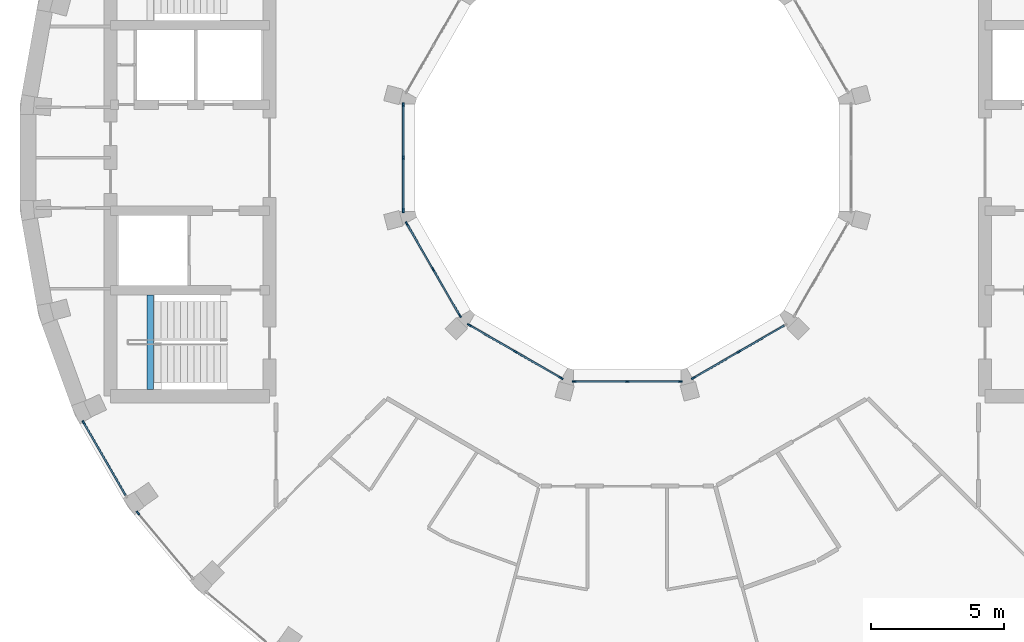
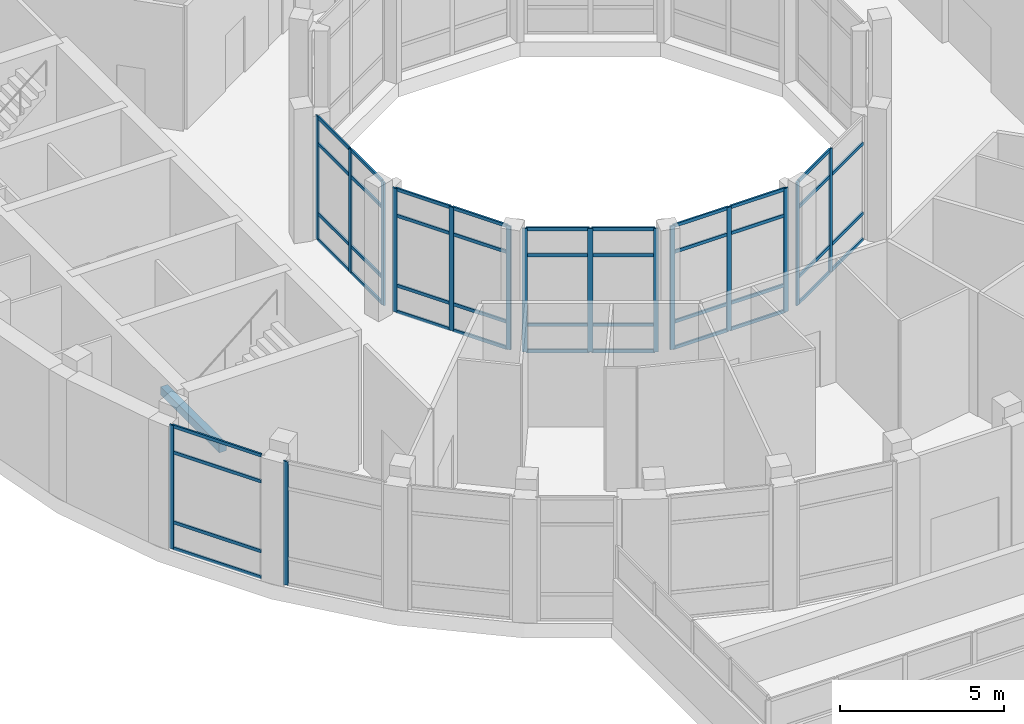
# One storey, part 4 of 19: 59 members, 1 beam, 7 elements without a shape of their own.
"""IFC4 building model written with IfcOpenShell, lengths in metres."""

from ifc_helpers import new_model, si_unit, direction, frame, origin, origin_2d, place, context, subcontext, project, spatial, rectangle, extrude, material, layer, layer_set, material_profile, profile_set, type_object, element, aggregate, save


model = new_model("IFC4")

# Units and contexts
model_context = context("Model", 3, precision=1e-05, world=origin(), true_north=direction((0.0, 1.0)))
body_context = subcontext(model_context, "Body", "Model", "MODEL_VIEW")
ifc_project = project(units=[si_unit("LENGTHUNIT", "METRE"), si_unit("AREAUNIT", "SQUARE_METRE"), si_unit("VOLUMEUNIT", "CUBIC_METRE"), si_unit("PLANEANGLEUNIT", "RADIAN"), si_unit("MASSUNIT", "GRAM", prefix="KILO")], contexts=[model_context])

# Site, building, storey
site_placement = place(None, origin())
site = spatial("IfcSite", under=ifc_project, at=site_placement, CompositionType="ELEMENT")
building_placement = place(site_placement, origin())
building = spatial("IfcBuilding", under=site, at=building_placement, Name="Saqina Gate Tower", CompositionType="ELEMENT")
storey_placement = place(building_placement, frame((0.0, 0.0, 224.699951171875)))
storey = spatial("IfcBuildingStorey", under=building, at=storey_placement, Name="L64", CompositionType="ELEMENT", Elevation=224.699951171875)

# Curtain wall, member
ifc_material_1 = material(Name="Aluminium glazing", Category="aluminium")
ifc_layer_1 = layer(ifc_material_1, 0.159912109375)
ifc_layer_set_1 = layer_set([ifc_layer_1], Name="CWT-2")
curtain_wall_type_1 = type_object("IfcCurtainWallType", Name="CWT-2", PredefinedType="NOTDEFINED", material=ifc_layer_set_1)
curtain_wall_1_placement = place(storey_placement, origin())
curtain_wall_1 = element("IfcCurtainWall", 1, at=curtain_wall_1_placement, inside=storey, type_object=curtain_wall_type_1, Name="Sky lounge glazing facet 21", PredefinedType="NOTDEFINED")
ifc_material_2 = material(Name="Aluminium", Category="aluminium")
ifc_material_profile_1 = material_profile(ifc_material_2, rectangle(XDim=0.06005859375, YDim=0.159912109375, at=origin_2d()), Name="Aluminium 60x160")
ifc_profile_set_1 = profile_set([ifc_material_profile_1], Name="Aluminium")
member_type_1 = type_object("IfcMemberType", Name="CWT-2M", PredefinedType="MULLION", material=ifc_profile_set_1)
member_1_placement = place(storey_placement, frame((-20.5107421875, -9.999267578125, 0.0), z_axis=(0.0, 0.0, 1.0), x_axis=(0.8660355365, 0.499982449212, 0.0)))
member_1 = element("IfcMember", 2, at=member_1_placement, type_object=member_type_1, Name="CW2-21 mullion 1", PredefinedType="MULLION", context=body_context, shape_type="SweptSolid", body=[
    extrude(rectangle(XDim=0.06005859375, YDim=0.159912109375, at=origin_2d()), origin(), (0.0, 0.0, 1.0), 4.60009765625),
])

curtain_wall_2_placement = place(storey_placement, origin())
curtain_wall_2 = element("IfcCurtainWall", 3, at=curtain_wall_2_placement, inside=storey, type_object=curtain_wall_type_1, Name="Sky lounge glazing facet 22", PredefinedType="NOTDEFINED")
member_2_placement = place(storey_placement, frame((-18.462890625, -13.408935546875, 0.0), z_axis=(0.0, 0.0, 1.0), x_axis=(0.766046452821, 0.642785214609, 0.0)))
member_2 = element("IfcMember", 4, at=member_2_placement, type_object=member_type_1, Name="CW2-22 mullion 1", PredefinedType="MULLION", context=body_context, shape_type="SweptSolid", body=[
    extrude(rectangle(XDim=0.06005859375, YDim=0.159912109375, at=origin_2d()), origin(), (0.0, 0.0, 1.0), 4.60009765625),
])
aggregate(curtain_wall_2, [member_2])

# Member
ifc_material_3 = material(Name="Aluminium", Category="aluminium")
ifc_material_profile_2 = material_profile(ifc_material_3, rectangle(XDim=0.06005859375, YDim=0.1201171875, at=origin_2d()), Name="Aluminium 60x120")
ifc_profile_set_2 = profile_set([ifc_material_profile_2], Name="Aluminium")
member_type_2 = type_object("IfcMemberType", Name="CWT-2T", PredefinedType="USERDEFINED", material=ifc_profile_set_2)
member_3_placement = place(storey_placement, frame((-20.495849609375, -10.025146484375, 0.030029296875), z_axis=(0.50001262068, -0.866018117109, 0.0), x_axis=(0.866018117109, 0.50001262068, 0.0)))
member_3 = element("IfcMember", 5, at=member_3_placement, type_object=member_type_2, Name="CW2-21 transom 1.1", ObjectType="TRANSOM", PredefinedType="USERDEFINED", context=body_context, shape_type="SweptSolid", body=[
    extrude(rectangle(XDim=0.06005859375, YDim=0.1201171875, at=origin_2d()), origin(), (0.0, 0.0, 1.0), 3.1318359375),
])

member_4_placement = place(storey_placement, frame((-20.495849609375, -10.025146484375, 1.0), z_axis=(0.50001262068, -0.866018117109, 0.0), x_axis=(0.866018117109, 0.50001262068, 0.0)))
member_4 = element("IfcMember", 6, at=member_4_placement, type_object=member_type_2, Name="CW2-21 transom 1.2", ObjectType="TRANSOM", PredefinedType="USERDEFINED", context=body_context, shape_type="SweptSolid", body=[
    extrude(rectangle(XDim=0.06005859375, YDim=0.1201171875, at=origin_2d()), origin(), (0.0, 0.0, 1.0), 3.1318359375),
])

member_5_placement = place(storey_placement, frame((-20.495849609375, -10.025146484375, 3.60009765625), z_axis=(0.50001262068, -0.866018117109, 0.0), x_axis=(0.866018117109, 0.50001262068, 0.0)))
member_5 = element("IfcMember", 7, at=member_5_placement, type_object=member_type_2, Name="CW2-21 transom 1.3", ObjectType="TRANSOM", PredefinedType="USERDEFINED", context=body_context, shape_type="SweptSolid", body=[
    extrude(rectangle(XDim=0.06005859375, YDim=0.1201171875, at=origin_2d()), origin(), (0.0, 0.0, 1.0), 3.1318359375),
])

member_6_placement = place(storey_placement, frame((-20.495849609375, -10.025146484375, 4.570068359375), z_axis=(0.50001262068, -0.866018117109, 0.0), x_axis=(0.866018117109, 0.50001262068, 0.0)))
member_6 = element("IfcMember", 8, at=member_6_placement, type_object=member_type_2, Name="CW2-21 transom 1.4", ObjectType="TRANSOM", PredefinedType="USERDEFINED", context=body_context, shape_type="SweptSolid", body=[
    extrude(rectangle(XDim=0.06005859375, YDim=0.1201171875, at=origin_2d()), origin(), (0.0, 0.0, 1.0), 3.1318359375),
])

aggregate(curtain_wall_1, [member_1, member_3, member_4, member_5, member_6])

# Curtain wall, members
ifc_material_4 = material(Name="Aluminium glazing", Category="aluminium")
ifc_layer_2 = layer(ifc_material_4, 0.159912109375)
ifc_layer_set_2 = layer_set([ifc_layer_2], Name="CWT-3")
curtain_wall_type_2 = type_object("IfcCurtainWallType", Name="CWT-3", PredefinedType="NOTDEFINED", material=ifc_layer_set_2)
curtain_wall_3_placement = place(storey_placement, origin())
curtain_wall_3 = element("IfcCurtainWall", 9, at=curtain_wall_3_placement, inside=storey, type_object=curtain_wall_type_2, Name="Sky lounge well glazing L64 facet 6", PredefinedType="NOTDEFINED")
ifc_material_5 = material(Name="Aluminium", Category="aluminium")
ifc_material_profile_3 = material_profile(ifc_material_5, rectangle(XDim=0.06005859375, YDim=0.159912109375, at=origin_2d()), Name="Aluminium 60x160")
ifc_profile_set_3 = profile_set([ifc_material_profile_3], Name="Aluminium")
member_type_3 = type_object("IfcMemberType", Name="CWT-3M", PredefinedType="MULLION", material=ifc_profile_set_3)
member_7_placement = place(storey_placement, frame((-8.449951171875, 1.99951171875, 0.0), z_axis=(0.0, 0.0, 1.0), x_axis=(1.0, 0.0, 0.0)))
member_7 = element("IfcMember", 10, at=member_7_placement, type_object=member_type_3, Name="CW3-06 mullion 1", PredefinedType="MULLION", context=body_context, shape_type="SweptSolid", body=[
    extrude(rectangle(XDim=0.06005859375, YDim=0.159912109375, at=origin_2d()), origin(), (0.0, 0.0, 1.0), 4.60009765625),
])
member_8_placement = place(storey_placement, frame((-8.449951171875, 0.0, 0.0), z_axis=(0.0, 0.0, 1.0), x_axis=(1.0, 0.0, 0.0)))
member_8 = element("IfcMember", 11, at=member_8_placement, type_object=member_type_3, Name="CW3-06 mullion 2", PredefinedType="MULLION", context=body_context, shape_type="SweptSolid", body=[
    extrude(rectangle(XDim=0.06005859375, YDim=0.159912109375, at=origin_2d()), origin(), (0.0, 0.0, 1.0), 4.60009765625),
])
member_9_placement = place(storey_placement, frame((-8.449951171875, -1.99951171875, 0.0), z_axis=(0.0, 0.0, 1.0), x_axis=(1.0, 0.0, 0.0)))
member_9 = element("IfcMember", 12, at=member_9_placement, type_object=member_type_3, Name="CW3-06 mullion 3", PredefinedType="MULLION", context=body_context, shape_type="SweptSolid", body=[
    extrude(rectangle(XDim=0.06005859375, YDim=0.159912109375, at=origin_2d()), origin(), (0.0, 0.0, 1.0), 4.60009765625),
])

curtain_wall_4_placement = place(storey_placement, origin())
curtain_wall_4 = element("IfcCurtainWall", 13, at=curtain_wall_4_placement, inside=storey, type_object=curtain_wall_type_2, Name="Sky lounge well glazing L64 facet 7", PredefinedType="NOTDEFINED")
member_10_placement = place(storey_placement, frame((-8.317626953125, -2.493408203125, 0.0), z_axis=(0.0, 0.0, 1.0), x_axis=(0.866023931115, 0.500002550729, 0.0)))
member_10 = element("IfcMember", 14, at=member_10_placement, type_object=member_type_3, Name="CW3-07 mullion 1", PredefinedType="MULLION", context=body_context, shape_type="SweptSolid", body=[
    extrude(rectangle(XDim=0.06005859375, YDim=0.159912109375, at=origin_2d()), origin(), (0.0, 0.0, 1.0), 4.60009765625),
])
member_11_placement = place(storey_placement, frame((-7.31787109375, -4.22509765625, 0.0), z_axis=(0.0, 0.0, 1.0), x_axis=(0.866023931115, 0.500002550729, 0.0)))
member_11 = element("IfcMember", 15, at=member_11_placement, type_object=member_type_3, Name="CW3-07 mullion 2", PredefinedType="MULLION", context=body_context, shape_type="SweptSolid", body=[
    extrude(rectangle(XDim=0.06005859375, YDim=0.159912109375, at=origin_2d()), origin(), (0.0, 0.0, 1.0), 4.60009765625),
])
member_12_placement = place(storey_placement, frame((-6.318115234375, -5.95654296875, 0.0), z_axis=(0.0, 0.0, 1.0), x_axis=(0.866023931115, 0.500002550729, 0.0)))
member_12 = element("IfcMember", 16, at=member_12_placement, type_object=member_type_3, Name="CW3-07 mullion 3", PredefinedType="MULLION", context=body_context, shape_type="SweptSolid", body=[
    extrude(rectangle(XDim=0.06005859375, YDim=0.159912109375, at=origin_2d()), origin(), (0.0, 0.0, 1.0), 4.60009765625),
])

curtain_wall_5_placement = place(storey_placement, origin())
curtain_wall_5 = element("IfcCurtainWall", 17, at=curtain_wall_5_placement, inside=storey, type_object=curtain_wall_type_2, Name="Sky lounge well glazing L64 facet 8", PredefinedType="NOTDEFINED")
member_13_placement = place(storey_placement, frame((-5.95654296875, -6.318115234375, 0.0), z_axis=(0.0, 0.0, 1.0), x_axis=(0.500002550729, 0.866023931115, 0.0)))
member_13 = element("IfcMember", 18, at=member_13_placement, type_object=member_type_3, Name="CW3-08 mullion 1", PredefinedType="MULLION", context=body_context, shape_type="SweptSolid", body=[
    extrude(rectangle(XDim=0.06005859375, YDim=0.159912109375, at=origin_2d()), origin(), (0.0, 0.0, 1.0), 4.60009765625),
])
member_14_placement = place(storey_placement, frame((-4.22509765625, -7.31787109375, 0.0), z_axis=(0.0, 0.0, 1.0), x_axis=(0.500002550729, 0.866023931115, 0.0)))
member_14 = element("IfcMember", 19, at=member_14_placement, type_object=member_type_3, Name="CW3-08 mullion 2", PredefinedType="MULLION", context=body_context, shape_type="SweptSolid", body=[
    extrude(rectangle(XDim=0.06005859375, YDim=0.159912109375, at=origin_2d()), origin(), (0.0, 0.0, 1.0), 4.60009765625),
])
member_15_placement = place(storey_placement, frame((-2.493408203125, -8.317626953125, 0.0), z_axis=(0.0, 0.0, 1.0), x_axis=(0.500002550729, 0.866023931115, 0.0)))
member_15 = element("IfcMember", 20, at=member_15_placement, type_object=member_type_3, Name="CW3-08 mullion 3", PredefinedType="MULLION", context=body_context, shape_type="SweptSolid", body=[
    extrude(rectangle(XDim=0.06005859375, YDim=0.159912109375, at=origin_2d()), origin(), (0.0, 0.0, 1.0), 4.60009765625),
])

curtain_wall_6_placement = place(storey_placement, origin())
curtain_wall_6 = element("IfcCurtainWall", 21, at=curtain_wall_6_placement, inside=storey, type_object=curtain_wall_type_2, Name="Sky lounge well glazing L64 facet 9", PredefinedType="NOTDEFINED")
member_16_placement = place(storey_placement, frame((-1.99951171875, -8.449951171875, 0.0), z_axis=(0.0, 0.0, 1.0), x_axis=(0.0, 1.0, 0.0)))
member_16 = element("IfcMember", 22, at=member_16_placement, type_object=member_type_3, Name="CW3-09 mullion 1", PredefinedType="MULLION", context=body_context, shape_type="SweptSolid", body=[
    extrude(rectangle(XDim=0.06005859375, YDim=0.159912109375, at=origin_2d()), origin(), (0.0, 0.0, 1.0), 4.60009765625),
])
member_17_placement = place(storey_placement, frame((0.0, -8.449951171875, 0.0), z_axis=(0.0, 0.0, 1.0), x_axis=(0.0, 1.0, 0.0)))
member_17 = element("IfcMember", 23, at=member_17_placement, type_object=member_type_3, Name="CW3-09 mullion 2", PredefinedType="MULLION", context=body_context, shape_type="SweptSolid", body=[
    extrude(rectangle(XDim=0.06005859375, YDim=0.159912109375, at=origin_2d()), origin(), (0.0, 0.0, 1.0), 4.60009765625),
])
member_18_placement = place(storey_placement, frame((1.99951171875, -8.449951171875, 0.0), z_axis=(0.0, 0.0, 1.0), x_axis=(0.0, 1.0, 0.0)))
member_18 = element("IfcMember", 24, at=member_18_placement, type_object=member_type_3, Name="CW3-09 mullion 3", PredefinedType="MULLION", context=body_context, shape_type="SweptSolid", body=[
    extrude(rectangle(XDim=0.06005859375, YDim=0.159912109375, at=origin_2d()), origin(), (0.0, 0.0, 1.0), 4.60009765625),
])

curtain_wall_7_placement = place(storey_placement, origin())
curtain_wall_7 = element("IfcCurtainWall", 25, at=curtain_wall_7_placement, inside=storey, type_object=curtain_wall_type_2, Name="Sky lounge well glazing L64 facet 10", PredefinedType="NOTDEFINED")
member_19_placement = place(storey_placement, frame((2.493408203125, -8.317626953125, 0.0), z_axis=(0.0, 0.0, 1.0), x_axis=(-0.500002550729, 0.866023931115, 0.0)))
member_19 = element("IfcMember", 26, at=member_19_placement, type_object=member_type_3, Name="CW3-10 mullion 1", PredefinedType="MULLION", context=body_context, shape_type="SweptSolid", body=[
    extrude(rectangle(XDim=0.06005859375, YDim=0.159912109375, at=origin_2d()), origin(), (0.0, 0.0, 1.0), 4.60009765625),
])
member_20_placement = place(storey_placement, frame((4.22509765625, -7.31787109375, 0.0), z_axis=(0.0, 0.0, 1.0), x_axis=(-0.500002550729, 0.866023931115, 0.0)))
member_20 = element("IfcMember", 27, at=member_20_placement, type_object=member_type_3, Name="CW3-10 mullion 2", PredefinedType="MULLION", context=body_context, shape_type="SweptSolid", body=[
    extrude(rectangle(XDim=0.06005859375, YDim=0.159912109375, at=origin_2d()), origin(), (0.0, 0.0, 1.0), 4.60009765625),
])

# Member
ifc_material_6 = material(Name="Aluminium", Category="aluminium")
ifc_material_profile_4 = material_profile(ifc_material_6, rectangle(XDim=0.06005859375, YDim=0.1201171875, at=origin_2d()), Name="Aluminium 60x120")
ifc_profile_set_4 = profile_set([ifc_material_profile_4], Name="Aluminium")
member_type_4 = type_object("IfcMemberType", Name="CWT-3T", PredefinedType="USERDEFINED", material=ifc_profile_set_4)
member_21_placement = place(storey_placement, frame((-8.449951171875, 1.969482421875, 0.030029296875), z_axis=(0.0, -1.0, 0.0), x_axis=(1.0, 0.0, 0.0)))
member_21 = element("IfcMember", 28, at=member_21_placement, type_object=member_type_4, Name="CW3-06 transom 1.1", ObjectType="TRANSOM", PredefinedType="USERDEFINED", context=body_context, shape_type="SweptSolid", body=[
    extrude(rectangle(XDim=0.06005859375, YDim=0.1201171875, at=origin_2d()), origin(), (0.0, 0.0, 1.0), 1.939453125),
])

member_22_placement = place(storey_placement, frame((-8.449951171875, 1.969482421875, 1.0), z_axis=(0.0, -1.0, 0.0), x_axis=(1.0, 0.0, 0.0)))
member_22 = element("IfcMember", 29, at=member_22_placement, type_object=member_type_4, Name="CW3-06 transom 1.2", ObjectType="TRANSOM", PredefinedType="USERDEFINED", context=body_context, shape_type="SweptSolid", body=[
    extrude(rectangle(XDim=0.06005859375, YDim=0.1201171875, at=origin_2d()), origin(), (0.0, 0.0, 1.0), 1.939453125),
])

member_23_placement = place(storey_placement, frame((-8.449951171875, 1.969482421875, 3.60009765625), z_axis=(0.0, -1.0, 0.0), x_axis=(1.0, 0.0, 0.0)))
member_23 = element("IfcMember", 30, at=member_23_placement, type_object=member_type_4, Name="CW3-06 transom 1.3", ObjectType="TRANSOM", PredefinedType="USERDEFINED", context=body_context, shape_type="SweptSolid", body=[
    extrude(rectangle(XDim=0.06005859375, YDim=0.1201171875, at=origin_2d()), origin(), (0.0, 0.0, 1.0), 1.939453125),
])

member_24_placement = place(storey_placement, frame((-8.449951171875, 1.969482421875, 4.570068359375), z_axis=(0.0, -1.0, 0.0), x_axis=(1.0, 0.0, 0.0)))
member_24 = element("IfcMember", 31, at=member_24_placement, type_object=member_type_4, Name="CW3-06 transom 1.4", ObjectType="TRANSOM", PredefinedType="USERDEFINED", context=body_context, shape_type="SweptSolid", body=[
    extrude(rectangle(XDim=0.06005859375, YDim=0.1201171875, at=origin_2d()), origin(), (0.0, 0.0, 1.0), 1.939453125),
])

member_25_placement = place(storey_placement, frame((-8.449951171875, -0.030029296875, 0.030029296875), z_axis=(0.0, -1.0, 0.0), x_axis=(1.0, 0.0, 0.0)))
member_25 = element("IfcMember", 32, at=member_25_placement, type_object=member_type_4, Name="CW3-06 transom 2.1", ObjectType="TRANSOM", PredefinedType="USERDEFINED", context=body_context, shape_type="SweptSolid", body=[
    extrude(rectangle(XDim=0.06005859375, YDim=0.1201171875, at=origin_2d()), origin(), (0.0, 0.0, 1.0), 1.939453125),
])

member_26_placement = place(storey_placement, frame((-8.449951171875, -0.030029296875, 1.0), z_axis=(0.0, -1.0, 0.0), x_axis=(1.0, 0.0, 0.0)))
member_26 = element("IfcMember", 33, at=member_26_placement, type_object=member_type_4, Name="CW3-06 transom 2.2", ObjectType="TRANSOM", PredefinedType="USERDEFINED", context=body_context, shape_type="SweptSolid", body=[
    extrude(rectangle(XDim=0.06005859375, YDim=0.1201171875, at=origin_2d()), origin(), (0.0, 0.0, 1.0), 1.939453125),
])

member_27_placement = place(storey_placement, frame((-8.449951171875, -0.030029296875, 3.60009765625), z_axis=(0.0, -1.0, 0.0), x_axis=(1.0, 0.0, 0.0)))
member_27 = element("IfcMember", 34, at=member_27_placement, type_object=member_type_4, Name="CW3-06 transom 2.3", ObjectType="TRANSOM", PredefinedType="USERDEFINED", context=body_context, shape_type="SweptSolid", body=[
    extrude(rectangle(XDim=0.06005859375, YDim=0.1201171875, at=origin_2d()), origin(), (0.0, 0.0, 1.0), 1.939453125),
])

member_28_placement = place(storey_placement, frame((-8.449951171875, -0.030029296875, 4.570068359375), z_axis=(0.0, -1.0, 0.0), x_axis=(1.0, 0.0, 0.0)))
member_28 = element("IfcMember", 35, at=member_28_placement, type_object=member_type_4, Name="CW3-06 transom 2.4", ObjectType="TRANSOM", PredefinedType="USERDEFINED", context=body_context, shape_type="SweptSolid", body=[
    extrude(rectangle(XDim=0.06005859375, YDim=0.1201171875, at=origin_2d()), origin(), (0.0, 0.0, 1.0), 1.939453125),
])

aggregate(curtain_wall_3, [member_7, member_8, member_9, member_21, member_22, member_23, member_24, member_25, member_26, member_27, member_28])

member_29_placement = place(storey_placement, frame((-8.302490234375, -2.51953125, 0.030029296875), z_axis=(0.499944052521, -0.866057702667, 0.0), x_axis=(0.866057702667, 0.499944052521, 0.0)))
member_29 = element("IfcMember", 36, at=member_29_placement, type_object=member_type_4, Name="CW3-07 transom 1.1", ObjectType="TRANSOM", PredefinedType="USERDEFINED", context=body_context, shape_type="SweptSolid", body=[
    extrude(rectangle(XDim=0.06005859375, YDim=0.1201171875, at=origin_2d()), origin(), (0.0, 0.0, 1.0), 1.939208984375),
])

member_30_placement = place(storey_placement, frame((-8.302490234375, -2.51953125, 1.0), z_axis=(0.499944052521, -0.866057702667, 0.0), x_axis=(0.866057702667, 0.499944052521, 0.0)))
member_30 = element("IfcMember", 37, at=member_30_placement, type_object=member_type_4, Name="CW3-07 transom 1.2", ObjectType="TRANSOM", PredefinedType="USERDEFINED", context=body_context, shape_type="SweptSolid", body=[
    extrude(rectangle(XDim=0.06005859375, YDim=0.1201171875, at=origin_2d()), origin(), (0.0, 0.0, 1.0), 1.939208984375),
])

member_31_placement = place(storey_placement, frame((-8.302490234375, -2.51953125, 3.60009765625), z_axis=(0.499944052521, -0.866057702667, 0.0), x_axis=(0.866057702667, 0.499944052521, 0.0)))
member_31 = element("IfcMember", 38, at=member_31_placement, type_object=member_type_4, Name="CW3-07 transom 1.3", ObjectType="TRANSOM", PredefinedType="USERDEFINED", context=body_context, shape_type="SweptSolid", body=[
    extrude(rectangle(XDim=0.06005859375, YDim=0.1201171875, at=origin_2d()), origin(), (0.0, 0.0, 1.0), 1.939208984375),
])

member_32_placement = place(storey_placement, frame((-8.302490234375, -2.51953125, 4.570068359375), z_axis=(0.499944052521, -0.866057702667, 0.0), x_axis=(0.866057702667, 0.499944052521, 0.0)))
member_32 = element("IfcMember", 39, at=member_32_placement, type_object=member_type_4, Name="CW3-07 transom 1.4", ObjectType="TRANSOM", PredefinedType="USERDEFINED", context=body_context, shape_type="SweptSolid", body=[
    extrude(rectangle(XDim=0.06005859375, YDim=0.1201171875, at=origin_2d()), origin(), (0.0, 0.0, 1.0), 1.939208984375),
])

member_33_placement = place(storey_placement, frame((-7.302978515625, -4.2509765625, 0.030029296875), z_axis=(0.500038474733, -0.866003189247, 0.0), x_axis=(0.866003189247, 0.500038474733, 0.0)))
member_33 = element("IfcMember", 40, at=member_33_placement, type_object=member_type_4, Name="CW3-07 transom 2.1", ObjectType="TRANSOM", PredefinedType="USERDEFINED", context=body_context, shape_type="SweptSolid", body=[
    extrude(rectangle(XDim=0.06005859375, YDim=0.1201171875, at=origin_2d()), origin(), (0.0, 0.0, 1.0), 1.939208984375),
])

member_34_placement = place(storey_placement, frame((-7.302978515625, -4.2509765625, 1.0), z_axis=(0.500038474733, -0.866003189247, 0.0), x_axis=(0.866003189247, 0.500038474733, 0.0)))
member_34 = element("IfcMember", 41, at=member_34_placement, type_object=member_type_4, Name="CW3-07 transom 2.2", ObjectType="TRANSOM", PredefinedType="USERDEFINED", context=body_context, shape_type="SweptSolid", body=[
    extrude(rectangle(XDim=0.06005859375, YDim=0.1201171875, at=origin_2d()), origin(), (0.0, 0.0, 1.0), 1.939208984375),
])

member_35_placement = place(storey_placement, frame((-7.302978515625, -4.2509765625, 3.60009765625), z_axis=(0.500038474733, -0.866003189247, 0.0), x_axis=(0.866003189247, 0.500038474733, 0.0)))
member_35 = element("IfcMember", 42, at=member_35_placement, type_object=member_type_4, Name="CW3-07 transom 2.3", ObjectType="TRANSOM", PredefinedType="USERDEFINED", context=body_context, shape_type="SweptSolid", body=[
    extrude(rectangle(XDim=0.06005859375, YDim=0.1201171875, at=origin_2d()), origin(), (0.0, 0.0, 1.0), 1.939208984375),
])

member_36_placement = place(storey_placement, frame((-7.302978515625, -4.2509765625, 4.570068359375), z_axis=(0.500038474733, -0.866003189247, 0.0), x_axis=(0.866003189247, 0.500038474733, 0.0)))
member_36 = element("IfcMember", 43, at=member_36_placement, type_object=member_type_4, Name="CW3-07 transom 2.4", ObjectType="TRANSOM", PredefinedType="USERDEFINED", context=body_context, shape_type="SweptSolid", body=[
    extrude(rectangle(XDim=0.06005859375, YDim=0.1201171875, at=origin_2d()), origin(), (0.0, 0.0, 1.0), 1.939208984375),
])

aggregate(curtain_wall_4, [member_10, member_11, member_12, member_29, member_30, member_31, member_32, member_33, member_34, member_35, member_36])

member_37_placement = place(storey_placement, frame((-5.930419921875, -6.333251953125, 0.030029296875), z_axis=(0.866003189247, -0.500038474733, 0.0), x_axis=(0.500038474733, 0.866003189247, 0.0)))
member_37 = element("IfcMember", 44, at=member_37_placement, type_object=member_type_4, Name="CW3-08 transom 1.1", ObjectType="TRANSOM", PredefinedType="USERDEFINED", context=body_context, shape_type="SweptSolid", body=[
    extrude(rectangle(XDim=0.06005859375, YDim=0.1201171875, at=origin_2d()), origin(), (0.0, 0.0, 1.0), 1.939208984375),
])

member_38_placement = place(storey_placement, frame((-5.930419921875, -6.333251953125, 1.0), z_axis=(0.866003189247, -0.500038474733, 0.0), x_axis=(0.500038474733, 0.866003189247, 0.0)))
member_38 = element("IfcMember", 45, at=member_38_placement, type_object=member_type_4, Name="CW3-08 transom 1.2", ObjectType="TRANSOM", PredefinedType="USERDEFINED", context=body_context, shape_type="SweptSolid", body=[
    extrude(rectangle(XDim=0.06005859375, YDim=0.1201171875, at=origin_2d()), origin(), (0.0, 0.0, 1.0), 1.939208984375),
])

member_39_placement = place(storey_placement, frame((-5.930419921875, -6.333251953125, 3.60009765625), z_axis=(0.866003189247, -0.500038474733, 0.0), x_axis=(0.500038474733, 0.866003189247, 0.0)))
member_39 = element("IfcMember", 46, at=member_39_placement, type_object=member_type_4, Name="CW3-08 transom 1.3", ObjectType="TRANSOM", PredefinedType="USERDEFINED", context=body_context, shape_type="SweptSolid", body=[
    extrude(rectangle(XDim=0.06005859375, YDim=0.1201171875, at=origin_2d()), origin(), (0.0, 0.0, 1.0), 1.939208984375),
])

member_40_placement = place(storey_placement, frame((-5.930419921875, -6.333251953125, 4.570068359375), z_axis=(0.866003189247, -0.500038474733, 0.0), x_axis=(0.500038474733, 0.866003189247, 0.0)))
member_40 = element("IfcMember", 47, at=member_40_placement, type_object=member_type_4, Name="CW3-08 transom 1.4", ObjectType="TRANSOM", PredefinedType="USERDEFINED", context=body_context, shape_type="SweptSolid", body=[
    extrude(rectangle(XDim=0.06005859375, YDim=0.1201171875, at=origin_2d()), origin(), (0.0, 0.0, 1.0), 1.939208984375),
])

member_41_placement = place(storey_placement, frame((-4.198974609375, -7.3330078125, 0.030029296875), z_axis=(0.866057702667, -0.499944052521, 0.0), x_axis=(0.499944052521, 0.866057702667, 0.0)))
member_41 = element("IfcMember", 48, at=member_41_placement, type_object=member_type_4, Name="CW3-08 transom 2.1", ObjectType="TRANSOM", PredefinedType="USERDEFINED", context=body_context, shape_type="SweptSolid", body=[
    extrude(rectangle(XDim=0.06005859375, YDim=0.1201171875, at=origin_2d()), origin(), (0.0, 0.0, 1.0), 1.939208984375),
])

member_42_placement = place(storey_placement, frame((-4.198974609375, -7.3330078125, 1.0), z_axis=(0.866057702667, -0.499944052521, 0.0), x_axis=(0.499944052521, 0.866057702667, 0.0)))
member_42 = element("IfcMember", 49, at=member_42_placement, type_object=member_type_4, Name="CW3-08 transom 2.2", ObjectType="TRANSOM", PredefinedType="USERDEFINED", context=body_context, shape_type="SweptSolid", body=[
    extrude(rectangle(XDim=0.06005859375, YDim=0.1201171875, at=origin_2d()), origin(), (0.0, 0.0, 1.0), 1.939208984375),
])

member_43_placement = place(storey_placement, frame((-4.198974609375, -7.3330078125, 3.60009765625), z_axis=(0.866057702667, -0.499944052521, 0.0), x_axis=(0.499944052521, 0.866057702667, 0.0)))
member_43 = element("IfcMember", 50, at=member_43_placement, type_object=member_type_4, Name="CW3-08 transom 2.3", ObjectType="TRANSOM", PredefinedType="USERDEFINED", context=body_context, shape_type="SweptSolid", body=[
    extrude(rectangle(XDim=0.06005859375, YDim=0.1201171875, at=origin_2d()), origin(), (0.0, 0.0, 1.0), 1.939208984375),
])

member_44_placement = place(storey_placement, frame((-4.198974609375, -7.3330078125, 4.570068359375), z_axis=(0.866057702667, -0.499944052521, 0.0), x_axis=(0.499944052521, 0.866057702667, 0.0)))
member_44 = element("IfcMember", 51, at=member_44_placement, type_object=member_type_4, Name="CW3-08 transom 2.4", ObjectType="TRANSOM", PredefinedType="USERDEFINED", context=body_context, shape_type="SweptSolid", body=[
    extrude(rectangle(XDim=0.06005859375, YDim=0.1201171875, at=origin_2d()), origin(), (0.0, 0.0, 1.0), 1.939208984375),
])

aggregate(curtain_wall_5, [member_13, member_14, member_15, member_37, member_38, member_39, member_40, member_41, member_42, member_43, member_44])

member_45_placement = place(storey_placement, frame((-1.969482421875, -8.449951171875, 0.030029296875), z_axis=(1.0, 0.0, 0.0), x_axis=(0.0, 1.0, 0.0)))
member_45 = element("IfcMember", 52, at=member_45_placement, type_object=member_type_4, Name="CW3-09 transom 1.1", ObjectType="TRANSOM", PredefinedType="USERDEFINED", context=body_context, shape_type="SweptSolid", body=[
    extrude(rectangle(XDim=0.06005859375, YDim=0.1201171875, at=origin_2d()), origin(), (0.0, 0.0, 1.0), 1.939453125),
])

member_46_placement = place(storey_placement, frame((-1.969482421875, -8.449951171875, 1.0), z_axis=(1.0, 0.0, 0.0), x_axis=(0.0, 1.0, 0.0)))
member_46 = element("IfcMember", 53, at=member_46_placement, type_object=member_type_4, Name="CW3-09 transom 1.2", ObjectType="TRANSOM", PredefinedType="USERDEFINED", context=body_context, shape_type="SweptSolid", body=[
    extrude(rectangle(XDim=0.06005859375, YDim=0.1201171875, at=origin_2d()), origin(), (0.0, 0.0, 1.0), 1.939453125),
])

member_47_placement = place(storey_placement, frame((-1.969482421875, -8.449951171875, 3.60009765625), z_axis=(1.0, 0.0, 0.0), x_axis=(0.0, 1.0, 0.0)))
member_47 = element("IfcMember", 54, at=member_47_placement, type_object=member_type_4, Name="CW3-09 transom 1.3", ObjectType="TRANSOM", PredefinedType="USERDEFINED", context=body_context, shape_type="SweptSolid", body=[
    extrude(rectangle(XDim=0.06005859375, YDim=0.1201171875, at=origin_2d()), origin(), (0.0, 0.0, 1.0), 1.939453125),
])

member_48_placement = place(storey_placement, frame((-1.969482421875, -8.449951171875, 4.570068359375), z_axis=(1.0, 0.0, 0.0), x_axis=(0.0, 1.0, 0.0)))
member_48 = element("IfcMember", 55, at=member_48_placement, type_object=member_type_4, Name="CW3-09 transom 1.4", ObjectType="TRANSOM", PredefinedType="USERDEFINED", context=body_context, shape_type="SweptSolid", body=[
    extrude(rectangle(XDim=0.06005859375, YDim=0.1201171875, at=origin_2d()), origin(), (0.0, 0.0, 1.0), 1.939453125),
])

member_49_placement = place(storey_placement, frame((0.030029296875, -8.449951171875, 0.030029296875), z_axis=(1.0, 0.0, 0.0), x_axis=(0.0, 1.0, 0.0)))
member_49 = element("IfcMember", 56, at=member_49_placement, type_object=member_type_4, Name="CW3-09 transom 2.1", ObjectType="TRANSOM", PredefinedType="USERDEFINED", context=body_context, shape_type="SweptSolid", body=[
    extrude(rectangle(XDim=0.06005859375, YDim=0.1201171875, at=origin_2d()), origin(), (0.0, 0.0, 1.0), 1.939453125),
])

member_50_placement = place(storey_placement, frame((0.030029296875, -8.449951171875, 1.0), z_axis=(1.0, 0.0, 0.0), x_axis=(0.0, 1.0, 0.0)))
member_50 = element("IfcMember", 57, at=member_50_placement, type_object=member_type_4, Name="CW3-09 transom 2.2", ObjectType="TRANSOM", PredefinedType="USERDEFINED", context=body_context, shape_type="SweptSolid", body=[
    extrude(rectangle(XDim=0.06005859375, YDim=0.1201171875, at=origin_2d()), origin(), (0.0, 0.0, 1.0), 1.939453125),
])

member_51_placement = place(storey_placement, frame((0.030029296875, -8.449951171875, 3.60009765625), z_axis=(1.0, 0.0, 0.0), x_axis=(0.0, 1.0, 0.0)))
member_51 = element("IfcMember", 58, at=member_51_placement, type_object=member_type_4, Name="CW3-09 transom 2.3", ObjectType="TRANSOM", PredefinedType="USERDEFINED", context=body_context, shape_type="SweptSolid", body=[
    extrude(rectangle(XDim=0.06005859375, YDim=0.1201171875, at=origin_2d()), origin(), (0.0, 0.0, 1.0), 1.939453125),
])

member_52_placement = place(storey_placement, frame((0.030029296875, -8.449951171875, 4.570068359375), z_axis=(1.0, 0.0, 0.0), x_axis=(0.0, 1.0, 0.0)))
member_52 = element("IfcMember", 59, at=member_52_placement, type_object=member_type_4, Name="CW3-09 transom 2.4", ObjectType="TRANSOM", PredefinedType="USERDEFINED", context=body_context, shape_type="SweptSolid", body=[
    extrude(rectangle(XDim=0.06005859375, YDim=0.1201171875, at=origin_2d()), origin(), (0.0, 0.0, 1.0), 1.939453125),
])

aggregate(curtain_wall_6, [member_16, member_17, member_18, member_45, member_46, member_47, member_48, member_49, member_50, member_51, member_52])

member_53_placement = place(storey_placement, frame((2.51953125, -8.302490234375, 0.030029296875), z_axis=(0.866057702667, 0.499944052521, 0.0), x_axis=(-0.499944052521, 0.866057702667, 0.0)))
member_53 = element("IfcMember", 60, at=member_53_placement, type_object=member_type_4, Name="CW3-10 transom 1.1", ObjectType="TRANSOM", PredefinedType="USERDEFINED", context=body_context, shape_type="SweptSolid", body=[
    extrude(rectangle(XDim=0.06005859375, YDim=0.1201171875, at=origin_2d()), origin(), (0.0, 0.0, 1.0), 1.939208984375),
])

member_54_placement = place(storey_placement, frame((2.51953125, -8.302490234375, 1.0), z_axis=(0.866057702667, 0.499944052521, 0.0), x_axis=(-0.499944052521, 0.866057702667, 0.0)))
member_54 = element("IfcMember", 61, at=member_54_placement, type_object=member_type_4, Name="CW3-10 transom 1.2", ObjectType="TRANSOM", PredefinedType="USERDEFINED", context=body_context, shape_type="SweptSolid", body=[
    extrude(rectangle(XDim=0.06005859375, YDim=0.1201171875, at=origin_2d()), origin(), (0.0, 0.0, 1.0), 1.939208984375),
])

member_55_placement = place(storey_placement, frame((2.51953125, -8.302490234375, 3.60009765625), z_axis=(0.866057702667, 0.499944052521, 0.0), x_axis=(-0.499944052521, 0.866057702667, 0.0)))
member_55 = element("IfcMember", 62, at=member_55_placement, type_object=member_type_4, Name="CW3-10 transom 1.3", ObjectType="TRANSOM", PredefinedType="USERDEFINED", context=body_context, shape_type="SweptSolid", body=[
    extrude(rectangle(XDim=0.06005859375, YDim=0.1201171875, at=origin_2d()), origin(), (0.0, 0.0, 1.0), 1.939208984375),
])

member_56_placement = place(storey_placement, frame((2.51953125, -8.302490234375, 4.570068359375), z_axis=(0.866057702667, 0.499944052521, 0.0), x_axis=(-0.499944052521, 0.866057702667, 0.0)))
member_56 = element("IfcMember", 63, at=member_56_placement, type_object=member_type_4, Name="CW3-10 transom 1.4", ObjectType="TRANSOM", PredefinedType="USERDEFINED", context=body_context, shape_type="SweptSolid", body=[
    extrude(rectangle(XDim=0.06005859375, YDim=0.1201171875, at=origin_2d()), origin(), (0.0, 0.0, 1.0), 1.939208984375),
])

member_57_placement = place(storey_placement, frame((4.2509765625, -7.302978515625, 0.030029296875), z_axis=(0.866003189247, 0.500038474733, 0.0), x_axis=(-0.500038474733, 0.866003189247, 0.0)))
member_57 = element("IfcMember", 64, at=member_57_placement, type_object=member_type_4, Name="CW3-10 transom 2.1", ObjectType="TRANSOM", PredefinedType="USERDEFINED", context=body_context, shape_type="SweptSolid", body=[
    extrude(rectangle(XDim=0.06005859375, YDim=0.1201171875, at=origin_2d()), origin(), (0.0, 0.0, 1.0), 1.939208984375),
])

member_58_placement = place(storey_placement, frame((4.2509765625, -7.302978515625, 1.0), z_axis=(0.866003189247, 0.500038474733, 0.0), x_axis=(-0.500038474733, 0.866003189247, 0.0)))
member_58 = element("IfcMember", 65, at=member_58_placement, type_object=member_type_4, Name="CW3-10 transom 2.2", ObjectType="TRANSOM", PredefinedType="USERDEFINED", context=body_context, shape_type="SweptSolid", body=[
    extrude(rectangle(XDim=0.06005859375, YDim=0.1201171875, at=origin_2d()), origin(), (0.0, 0.0, 1.0), 1.939208984375),
])

member_59_placement = place(storey_placement, frame((4.2509765625, -7.302978515625, 3.60009765625), z_axis=(0.866003189247, 0.500038474733, 0.0), x_axis=(-0.500038474733, 0.866003189247, 0.0)))
member_59 = element("IfcMember", 66, at=member_59_placement, type_object=member_type_4, Name="CW3-10 transom 2.3", ObjectType="TRANSOM", PredefinedType="USERDEFINED", context=body_context, shape_type="SweptSolid", body=[
    extrude(rectangle(XDim=0.06005859375, YDim=0.1201171875, at=origin_2d()), origin(), (0.0, 0.0, 1.0), 1.939208984375),
])

aggregate(curtain_wall_7, [member_19, member_20, member_53, member_54, member_55, member_56, member_57, member_58, member_59])

# Beam
ifc_material_7 = material(Name="Concrete C40/50", Category="concrete")
ifc_material_profile_5 = material_profile(ifc_material_7, rectangle(XDim=0.25, YDim=0.300048828125, at=origin_2d()), Name="STAIR LANDING BEAM")
ifc_profile_set_5 = profile_set([ifc_material_profile_5], Name="Concrete C40/50")
beam_type = type_object("IfcBeamType", Name="STAIR LANDING BEAM", PredefinedType="BEAM", material=ifc_profile_set_5)
beam_placement = place(storey_placement, frame((-18.0, -8.75, 2.10009765625), z_axis=(0.0, 1.0, 0.0), x_axis=(-1.0, 0.0, 0.0)))
element("IfcBeam", 67, at=beam_placement, inside=storey, type_object=beam_type, Name="EXIT STAIR 4 LANDING BEAM", PredefinedType="BEAM", context=body_context, shape_type="SweptSolid", body=[
    extrude(rectangle(XDim=0.25, YDim=0.300048828125, at=origin_2d()), origin(), (0.0, 0.0, 1.0), 3.574951171875),
])

save(model, "model.ifc")
